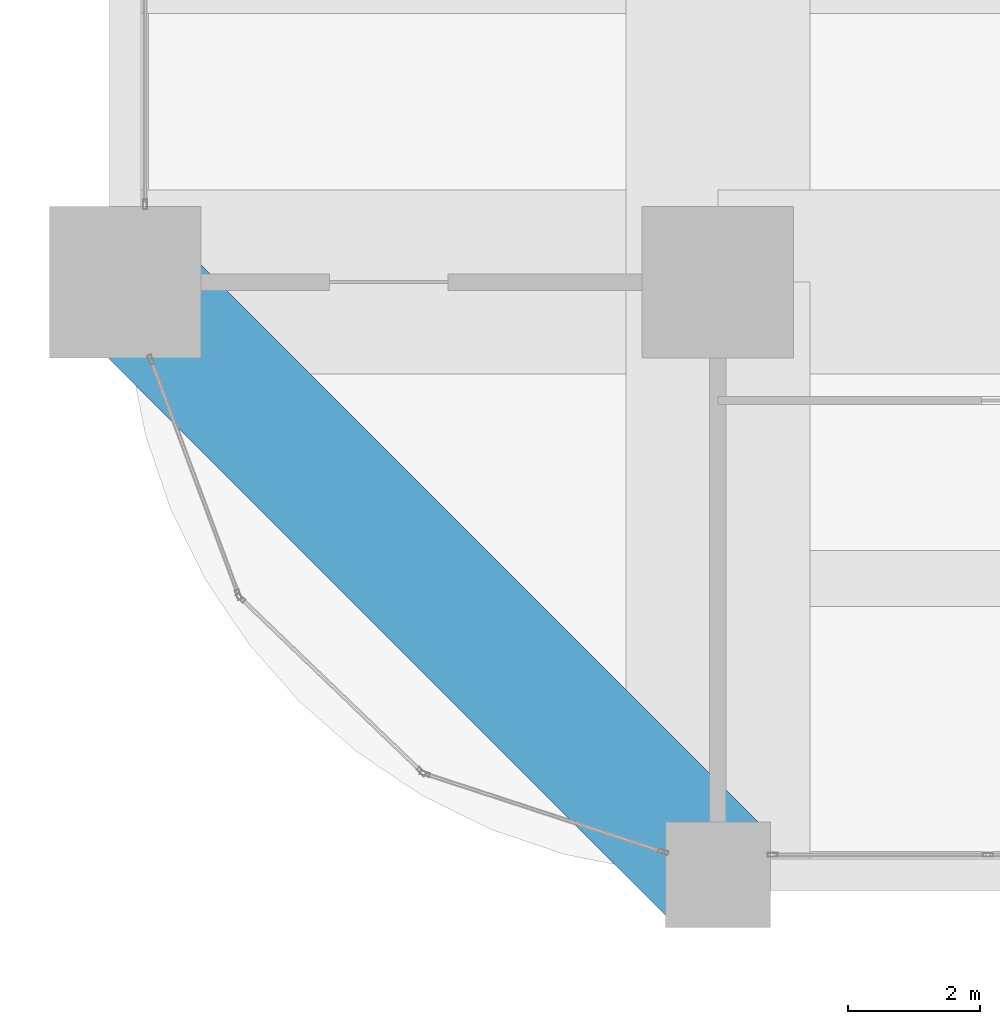
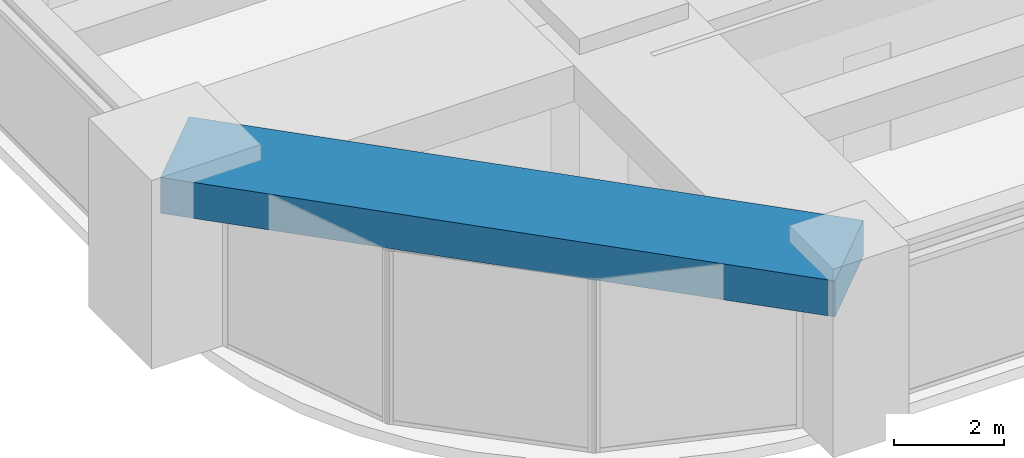
# One storey, part 3 of 39: 1 beam.
"""IFC4 building model written with IfcOpenShell, lengths in metres."""

from ifc_helpers import new_model, si_unit, direction, frame, origin, origin_2d, place, context, subcontext, project, spatial, rectangle, extrude, material, material_profile, profile_set, type_object, element, save


model = new_model("IFC4")

# Units and contexts
model_context = context("Model", 3, precision=1e-05, world=origin(), true_north=direction((0.0, 1.0)))
body_context = subcontext(model_context, "Body", "Model", "MODEL_VIEW")
ifc_project = project(units=[si_unit("LENGTHUNIT", "METRE"), si_unit("AREAUNIT", "SQUARE_METRE"), si_unit("VOLUMEUNIT", "CUBIC_METRE"), si_unit("PLANEANGLEUNIT", "RADIAN"), si_unit("MASSUNIT", "GRAM", prefix="KILO")], contexts=[model_context])

# Site, building, storey
site_placement = place(None, origin())
site = spatial("IfcSite", under=ifc_project, at=site_placement, CompositionType="ELEMENT")
building_placement = place(site_placement, origin())
building = spatial("IfcBuilding", under=site, at=building_placement, Name="Zorevar Civic Tower", CompositionType="ELEMENT")
storey_placement = place(building_placement, frame((0.0, 0.0, 230.199951171875)))
storey = spatial("IfcBuildingStorey", under=building, at=storey_placement, Name="L56", CompositionType="ELEMENT", Elevation=230.199951171875)

# Beam
ifc_material = material(Name="Concrete C50/60", Category="concrete")
ifc_material_profile = material_profile(ifc_material, rectangle(XDim=2.0, YDim=0.800048828125, at=origin_2d()), Name="RC 2000x800")
ifc_profile_set = profile_set([ifc_material_profile], Name="Concrete C50/60")
beam_type = type_object("IfcBeamType", Name="Edge beam RC 2000x800", PredefinedType="SPANDREL", material=ifc_profile_set)
beam_placement = place(storey_placement, frame((0.0, 9.0, 3.449951171875), z_axis=(0.707106781187, -0.707106781187, 0.0), x_axis=(0.707106781187, 0.707106781187, 0.0)))
element("IfcBeam", 1, at=beam_placement, inside=storey, type_object=beam_type, Name="Corner edge beam L57", PredefinedType="SPANDREL", context=body_context, shape_type="SweptSolid", body=[
    extrude(rectangle(XDim=2.0, YDim=0.800048828125, at=origin_2d()), origin(), (0.0, 0.0, 1.0), 12.72802734375),
])

save(model, "model.ifc")
